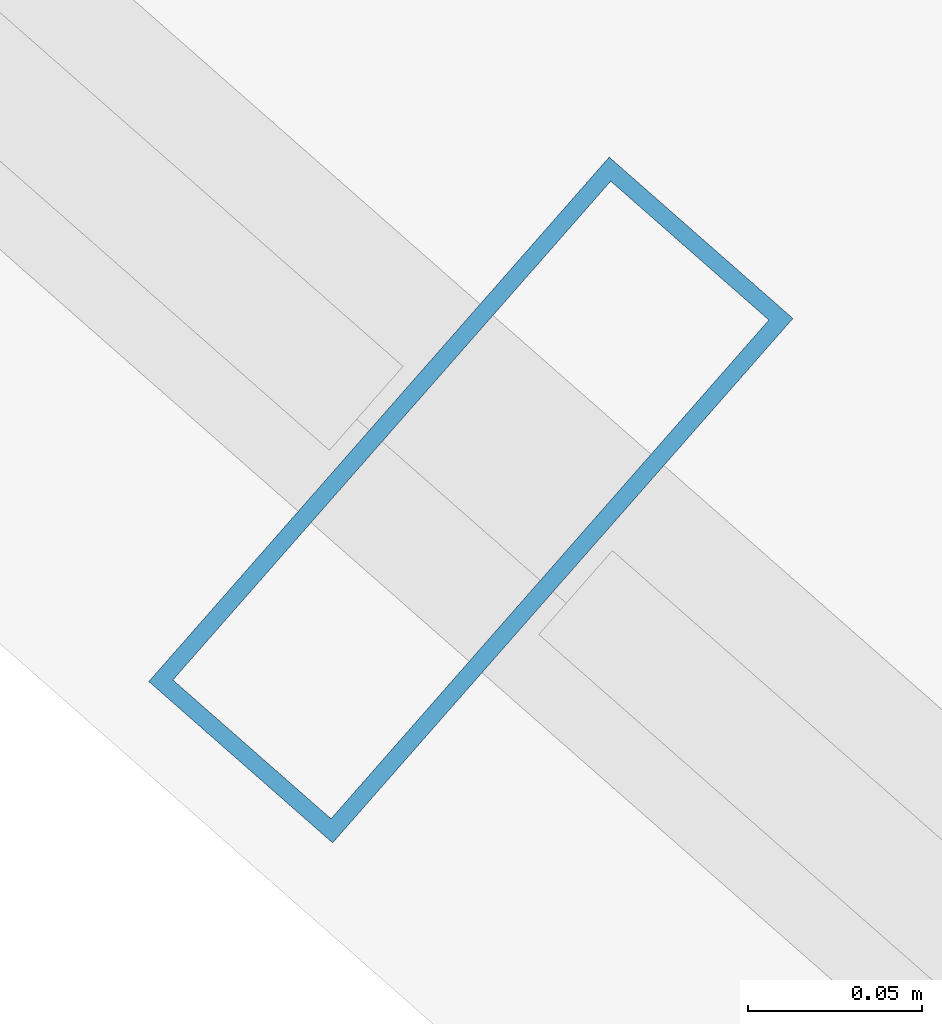
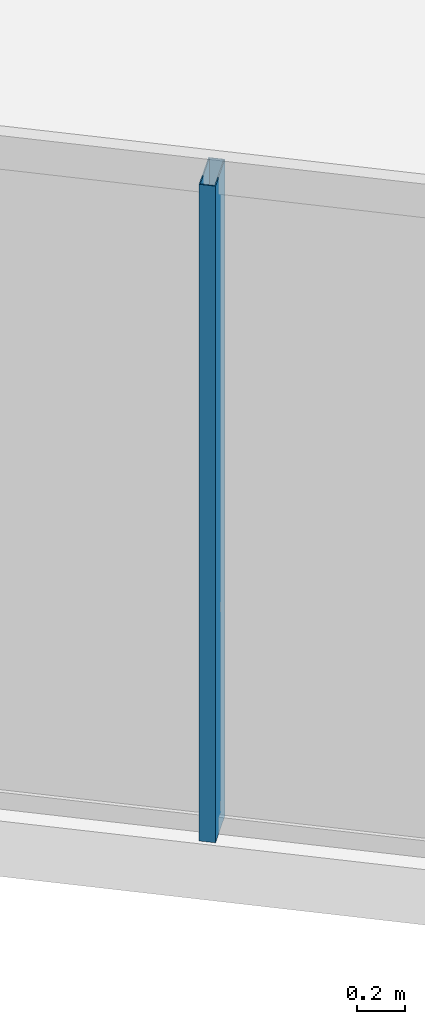
# One storey, part 2 of 20: 1 member, 1 element without a shape of its own.
"""IFC4 building model written with IfcOpenShell, lengths in metres."""

from ifc_helpers import new_model, si_unit, direction, frame, origin, origin_2d, place, context, subcontext, project, spatial, hollow_rectangle, extrude, material, layer, layer_set, material_profile, profile_set, type_object, element, aggregate, save


model = new_model("IFC4")

# Units and contexts
model_context = context("Model", 3, precision=1e-05, world=origin(), true_north=direction((0.0, 1.0)))
body_context = subcontext(model_context, "Body", "Model", "MODEL_VIEW")
ifc_project = project(units=[si_unit("LENGTHUNIT", "METRE"), si_unit("AREAUNIT", "SQUARE_METRE"), si_unit("VOLUMEUNIT", "CUBIC_METRE"), si_unit("PLANEANGLEUNIT", "RADIAN"), si_unit("MASSUNIT", "GRAM", prefix="KILO")], contexts=[model_context])

# Site, building, storey
site_placement = place(None, origin())
site = spatial("IfcSite", under=ifc_project, at=site_placement, CompositionType="ELEMENT")
building_placement = place(site_placement, origin())
building = spatial("IfcBuilding", under=site, at=building_placement, Name="Qarnah Convention Tower", CompositionType="ELEMENT")
storey_placement = place(building_placement, frame((0.0, 0.0, 136.5)))
storey = spatial("IfcBuildingStorey", under=building, at=storey_placement, Name="L36", CompositionType="ELEMENT", Elevation=136.5)

# Curtain wall, member
ifc_material_1 = material(Name="Tempered Low-E dark glass", Category="glass")
ifc_layer = layer(ifc_material_1, 0.172119140625)
ifc_layer_set = layer_set([ifc_layer], Name="Tempered Low-E dark glass")
curtain_wall_type = type_object("IfcCurtainWallType", Name="CWS-03", PredefinedType="NOTDEFINED", material=ifc_layer_set)
curtain_wall_placement = place(storey_placement, origin())
curtain_wall = element("IfcCurtainWall", 1, at=curtain_wall_placement, inside=storey, type_object=curtain_wall_type, Name="L36 unitised curtain wall CW-L36-F2", PredefinedType="NOTDEFINED")
ifc_material_2 = material(Name="Black anodised aluminium", Category="aluminium")
ifc_material_profile = material_profile(ifc_material_2, hollow_rectangle(XDim=0.070068359375, YDim=0.199951171875, WallThickness=0.0048828125, at=origin_2d()), Name="MUL-70X200")
ifc_profile_set = profile_set([ifc_material_profile], Name="Black anodised aluminium")
member_type = type_object("IfcMemberType", Name="MUL-T3", PredefinedType="MULLION", material=ifc_profile_set)
member_placement = place(storey_placement, frame((28.874755859375, 11.242431640625, 0.0), z_axis=(0.0, 0.0, 1.0), x_axis=(-0.751498144926, 0.659735203072, 0.0)))
member = element("IfcMember", 2, at=member_placement, type_object=member_type, Name="CW-L36-F2 mullion 3", PredefinedType="MULLION", context=body_context, shape_type="SweptSolid", body=[
    extrude(hollow_rectangle(XDim=0.070068359375, YDim=0.199951171875, WallThickness=0.0048828125, at=origin_2d()), origin(), (0.0, 0.0, 1.0), 3.320068359375),
])
aggregate(curtain_wall, [member])

save(model, "model.ifc")
